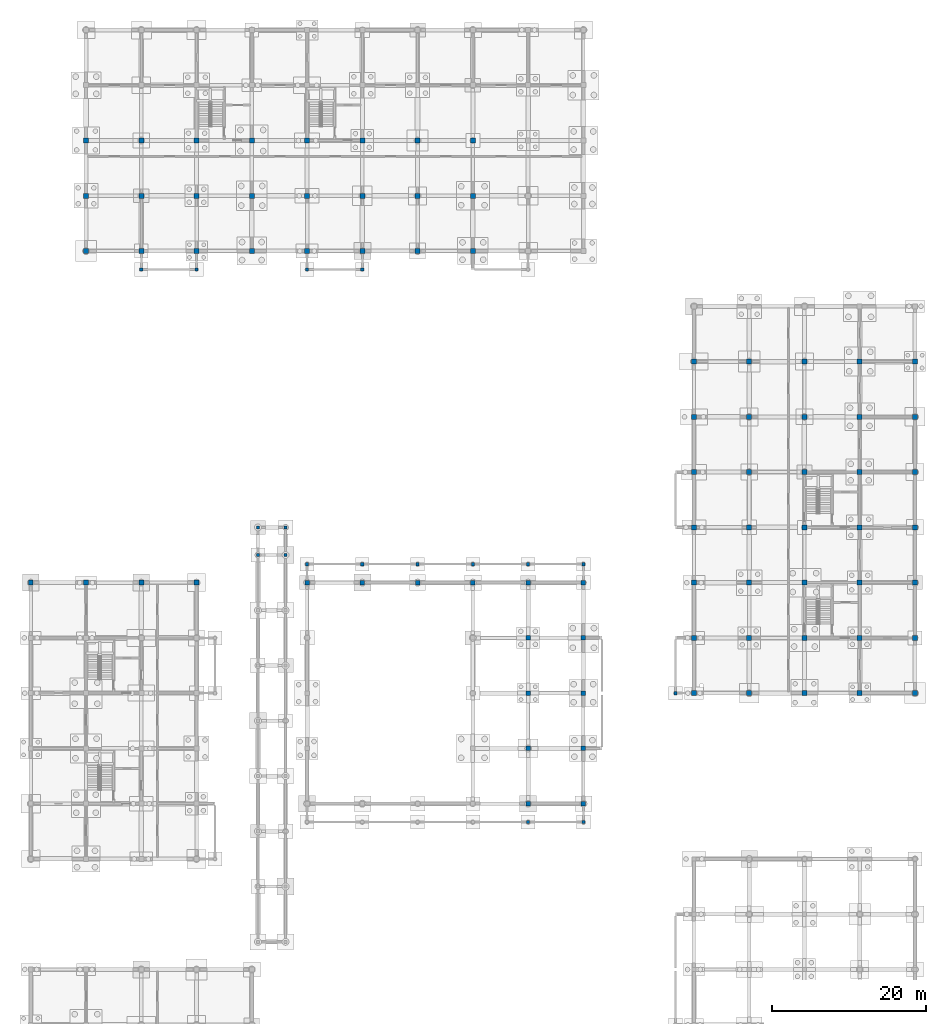
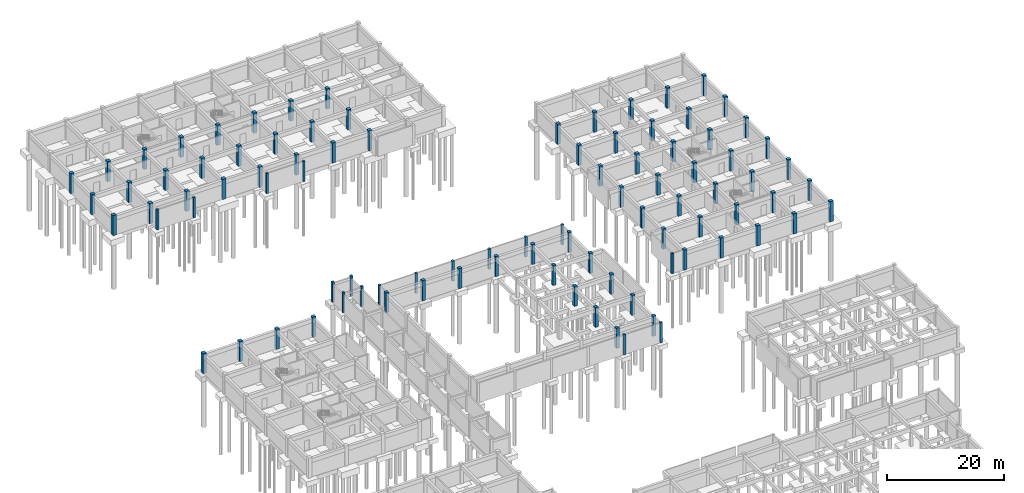
# One storey, part 18 of 38: 94 columns.
"""IFC4 building model written with IfcOpenShell, lengths in metres."""

from ifc_helpers import new_model, si_unit, direction, frame, origin, origin_2d, place, context, subcontext, project, spatial, rectangle, extrude, material, material_profile, profile_set, type_object, element, save


model = new_model("IFC4")

# Units and contexts
model_context = context("Model", 3, precision=1e-05, world=origin(), true_north=direction((0.0, 1.0)))
body_context = subcontext(model_context, "Body", "Model", "MODEL_VIEW")
ifc_project = project(units=[si_unit("LENGTHUNIT", "METRE"), si_unit("AREAUNIT", "SQUARE_METRE"), si_unit("VOLUMEUNIT", "CUBIC_METRE"), si_unit("PLANEANGLEUNIT", "RADIAN"), si_unit("MASSUNIT", "GRAM", prefix="KILO"), si_unit("THERMODYNAMICTEMPERATUREUNIT", "KELVIN"), si_unit("POWERUNIT", "WATT")], contexts=[model_context])

# Site, building, storey
site_placement = place(None, origin())
site = spatial("IfcSite", under=ifc_project, at=site_placement, CompositionType="ELEMENT")
building_placement = place(site_placement, origin())
building = spatial("IfcBuilding", under=site, at=building_placement, Name="Tavuni Mirador Residences", CompositionType="ELEMENT")
storey_placement = place(building_placement, frame((0.0, 0.0, -4.199951171875)))
storey = spatial("IfcBuildingStorey", under=building, at=storey_placement, Name="B1", CompositionType="ELEMENT", Elevation=-4.199951171875)

# Columns
ifc_material_1 = material(Name="Precast concrete C40/50", Category="concrete")
ifc_material_profile_1 = material_profile(ifc_material_1, rectangle(XDim=0.419921875, YDim=0.419921875, at=origin_2d()), Name="CORAL 420x420", Category="concrete")
ifc_profile_set_1 = profile_set([ifc_material_profile_1], Name="Precast concrete C40/50")
column_type_1 = type_object("IfcColumnType", Name="CT-PIL420", PredefinedType="PILASTER", material=ifc_profile_set_1)
for number, where, z_axis, x_axis, name in (
    (1, (33.199951171875, 104.39990234375, 0.0), (0.0, 0.0, 1.0), (1.0, 0.0, 0.0), "COL-PAV-COL-B1-00-07"),
    (2, (33.199951171875, 108.0, 0.0), (0.0, 0.0, 1.0), (1.0, 0.0, 0.0), "COL-PAV-COL-B1-00-08"),
    (3, (36.800048828125, 104.39990234375, 0.0), (0.0, 0.0, 1.0), (1.0, 0.0, 0.0), "COL-PAV-COL-B1-01-07"),
    (4, (36.800048828125, 108.0, 0.0), (0.0, 0.0, 1.0), (1.0, 0.0, 0.0), "COL-PAV-COL-B1-01-08"),
    (5, (18.0, 141.60009765625, 0.0), (0.0, 0.0, 1.0), (1.0, 0.0, 0.0), "COL-APR-BLKC-S1-0"),
    (6, (25.199951171875, 141.60009765625, 0.0), (0.0, 0.0, 1.0), (1.0, 0.0, 0.0), "COL-APR-BLKC-S1-1"),
    (7, (39.60009765625, 141.60009765625, 0.0), (0.0, 0.0, 1.0), (1.0, 0.0, 0.0), "COL-APR-BLKC-S2-0"),
    (8, (46.800048828125, 141.60009765625, 0.0), (0.0, 0.0, 1.0), (1.0, 0.0, 0.0), "COL-APR-BLKC-S2-1"),
    (9, (87.60009765625, 86.39990234375, 0.0), (0.0, 0.0, 1.0), (1.0, 0.0, 0.0), "COL-APR-BLKD-W1-0"),
    (10, (68.39990234375, 69.60009765625, 0.0), (0.0, 0.0, 1.0), (1.0, 0.0, 0.0), "COL-HALL-EAVE-B1-S-04"),
    (11, (75.60009765625, 69.60009765625, 0.0), (0.0, 0.0, 1.0), (1.0, 0.0, 0.0), "COL-HALL-EAVE-B1-S-05"),
    (12, (39.60009765625, 103.199951171875, 0.0), (0.0, 0.0, 1.0), (1.0, 0.0, 0.0), "COL-HALL-EAVE-B1-N-00"),
    (13, (46.800048828125, 103.199951171875, 0.0), (0.0, 0.0, 1.0), (1.0, 0.0, 0.0), "COL-HALL-EAVE-B1-N-01"),
    (14, (54.0, 103.199951171875, 0.0), (0.0, 0.0, 1.0), (1.0, 0.0, 0.0), "COL-HALL-EAVE-B1-N-02"),
    (15, (61.199951171875, 103.199951171875, 0.0), (0.0, 0.0, 1.0), (1.0, 0.0, 0.0), "COL-HALL-EAVE-B1-N-03"),
    (16, (68.39990234375, 103.199951171875, 0.0), (0.0, 0.0, 1.0), (1.0, 0.0, 0.0), "COL-HALL-EAVE-B1-N-04"),
    (17, (75.60009765625, 103.199951171875, 0.0), (0.0, 0.0, 1.0), (1.0, 0.0, 0.0), "COL-HALL-EAVE-B1-N-05"),
):
    element("IfcColumn", number, at=place(storey_placement, frame(where, z_axis=z_axis, x_axis=x_axis)), inside=storey, type_object=column_type_1, Name=name, PredefinedType="PILASTER", context=body_context, shape_type="SweptSolid", body=[
        extrude(rectangle(XDim=0.419921875, YDim=0.419921875, at=origin_2d()), origin(), (0.0, 0.0, 1.0), 4.199951171875),
    ])
ifc_material_profile_2 = material_profile(ifc_material_1, rectangle(XDim=0.60009765625, YDim=0.60009765625, at=origin_2d()), Name="RC 600x600", Category="concrete")
ifc_profile_set_2 = profile_set([ifc_material_profile_2], Name="Precast concrete C40/50")
column_type_2 = type_object("IfcColumnType", Name="CT-RC600", PredefinedType="COLUMN", material=ifc_profile_set_2)
for number, where, z_axis, x_axis, name in (
    (18, (39.60009765625, 100.800048828125, 0.0), (0.0, 0.0, 1.0), (1.0, 0.0, 0.0), "COL-PAV-HALL-B1-00-04"),
    (19, (46.800048828125, 100.800048828125, 0.0), (0.0, 0.0, 1.0), (1.0, 0.0, 0.0), "COL-PAV-HALL-B1-01-04"),
    (20, (54.0, 100.800048828125, 0.0), (0.0, 0.0, 1.0), (1.0, 0.0, 0.0), "COL-PAV-HALL-B1-02-04"),
    (21, (61.199951171875, 100.800048828125, 0.0), (0.0, 0.0, 1.0), (1.0, 0.0, 0.0), "COL-PAV-HALL-B1-03-04"),
    (22, (68.39990234375, 72.0, 0.0), (0.0, 0.0, 1.0), (1.0, 0.0, 0.0), "COL-PAV-HALL-B1-04-00"),
    (23, (68.39990234375, 79.199951171875, 0.0), (0.0, 0.0, 1.0), (1.0, 0.0, 0.0), "COL-PAV-HALL-B1-04-01"),
    (24, (68.39990234375, 86.39990234375, 0.0), (0.0, 0.0, 1.0), (1.0, 0.0, 0.0), "COL-PAV-HALL-B1-04-02"),
    (25, (68.39990234375, 93.60009765625, 0.0), (0.0, 0.0, 1.0), (1.0, 0.0, 0.0), "COL-PAV-HALL-B1-04-03"),
    (26, (68.39990234375, 100.800048828125, 0.0), (0.0, 0.0, 1.0), (1.0, 0.0, 0.0), "COL-PAV-HALL-B1-04-04"),
    (27, (75.60009765625, 72.0, 0.0), (0.0, 0.0, 1.0), (1.0, 0.0, 0.0), "COL-PAV-HALL-B1-05-00"),
    (28, (75.60009765625, 79.199951171875, 0.0), (0.0, 0.0, 1.0), (1.0, 0.0, 0.0), "COL-PAV-HALL-B1-05-01"),
    (29, (75.60009765625, 86.39990234375, 0.0), (0.0, 0.0, 1.0), (1.0, 0.0, 0.0), "COL-PAV-HALL-B1-05-02"),
    (30, (75.60009765625, 93.60009765625, 0.0), (0.0, 0.0, 1.0), (1.0, 0.0, 0.0), "COL-PAV-HALL-B1-05-03"),
    (31, (75.60009765625, 100.800048828125, 0.0), (0.0, 0.0, 1.0), (1.0, 0.0, 0.0), "COL-PAV-HALL-B1-05-04"),
):
    element("IfcColumn", number, at=place(storey_placement, frame(where, z_axis=z_axis, x_axis=x_axis)), inside=storey, type_object=column_type_2, Name=name, PredefinedType="COLUMN", context=body_context, shape_type="SweptSolid", body=[
        extrude(rectangle(XDim=0.60009765625, YDim=0.60009765625, at=origin_2d()), origin(), (0.0, 0.0, 1.0), 4.199951171875),
    ])
ifc_material_2 = material(Name="In-situ concrete C35/45", Category="concrete")
ifc_material_profile_3 = material_profile(ifc_material_2, rectangle(XDim=0.64990234375, YDim=0.64990234375, at=origin_2d()), Name="RC 650x650", Category="concrete")
ifc_profile_set_3 = profile_set([ifc_material_profile_3], Name="In-situ concrete C35/45")
column_type_3 = type_object("IfcColumnType", Name="CT-RC650", PredefinedType="COLUMN", material=ifc_profile_set_3)
for number, where, z_axis, x_axis, name in (
    (32, (3.60009765625, 100.800048828125, 0.0), (0.0, 0.0, 1.0), (1.0, 0.0, 0.0), "COL-BLK-B-B1-00-05"),
    (33, (10.800048828125, 100.800048828125, 0.0), (0.0, 0.0, 1.0), (1.0, 0.0, 0.0), "COL-BLK-B-B1-01-05"),
    (34, (18.0, 100.800048828125, 0.0), (0.0, 0.0, 1.0), (1.0, 0.0, 0.0), "COL-BLK-B-B1-02-05"),
    (35, (25.199951171875, 100.800048828125, 0.0), (0.0, 0.0, 1.0), (1.0, 0.0, 0.0), "COL-BLK-B-B1-03-05"),
    (36, (10.800048828125, 144.0, 0.0), (0.0, 0.0, 1.0), (1.0, 0.0, 0.0), "COL-BLK-C-B1-00-00"),
    (37, (10.800048828125, 151.199951171875, 0.0), (0.0, 0.0, 1.0), (1.0, 0.0, 0.0), "COL-BLK-C-B1-00-01"),
    (38, (10.800048828125, 158.39990234375, 0.0), (0.0, 0.0, 1.0), (1.0, 0.0, 0.0), "COL-BLK-C-B1-00-02"),
    (39, (18.0, 144.0, 0.0), (0.0, 0.0, 1.0), (1.0, 0.0, 0.0), "COL-BLK-C-B1-01-00"),
    (40, (18.0, 151.199951171875, 0.0), (0.0, 0.0, 1.0), (1.0, 0.0, 0.0), "COL-BLK-C-B1-01-01"),
    (41, (18.0, 158.39990234375, 0.0), (0.0, 0.0, 1.0), (1.0, 0.0, 0.0), "COL-BLK-C-B1-01-02"),
    (42, (25.199951171875, 144.0, 0.0), (0.0, 0.0, 1.0), (1.0, 0.0, 0.0), "COL-BLK-C-B1-02-00"),
    (43, (25.199951171875, 151.199951171875, 0.0), (0.0, 0.0, 1.0), (1.0, 0.0, 0.0), "COL-BLK-C-B1-02-01"),
    (44, (25.199951171875, 158.39990234375, 0.0), (0.0, 0.0, 1.0), (1.0, 0.0, 0.0), "COL-BLK-C-B1-02-02"),
    (45, (32.39990234375, 144.0, 0.0), (0.0, 0.0, 1.0), (1.0, 0.0, 0.0), "COL-BLK-C-B1-03-00"),
    (46, (32.39990234375, 151.199951171875, 0.0), (0.0, 0.0, 1.0), (1.0, 0.0, 0.0), "COL-BLK-C-B1-03-01"),
    (47, (32.39990234375, 158.39990234375, 0.0), (0.0, 0.0, 1.0), (1.0, 0.0, 0.0), "COL-BLK-C-B1-03-02"),
    (48, (39.60009765625, 144.0, 0.0), (0.0, 0.0, 1.0), (1.0, 0.0, 0.0), "COL-BLK-C-B1-04-00"),
    (49, (39.60009765625, 151.199951171875, 0.0), (0.0, 0.0, 1.0), (1.0, 0.0, 0.0), "COL-BLK-C-B1-04-01"),
    (50, (39.60009765625, 158.39990234375, 0.0), (0.0, 0.0, 1.0), (1.0, 0.0, 0.0), "COL-BLK-C-B1-04-02"),
    (51, (46.800048828125, 144.0, 0.0), (0.0, 0.0, 1.0), (1.0, 0.0, 0.0), "COL-BLK-C-B1-05-00"),
    (52, (46.800048828125, 151.199951171875, 0.0), (0.0, 0.0, 1.0), (1.0, 0.0, 0.0), "COL-BLK-C-B1-05-01"),
    (53, (46.800048828125, 158.39990234375, 0.0), (0.0, 0.0, 1.0), (1.0, 0.0, 0.0), "COL-BLK-C-B1-05-02"),
    (54, (54.0, 144.0, 0.0), (0.0, 0.0, 1.0), (1.0, 0.0, 0.0), "COL-BLK-C-B1-06-00"),
    (55, (54.0, 151.199951171875, 0.0), (0.0, 0.0, 1.0), (1.0, 0.0, 0.0), "COL-BLK-C-B1-06-01"),
    (56, (54.0, 158.39990234375, 0.0), (0.0, 0.0, 1.0), (1.0, 0.0, 0.0), "COL-BLK-C-B1-06-02"),
    (57, (61.199951171875, 144.0, 0.0), (0.0, 0.0, 1.0), (1.0, 0.0, 0.0), "COL-BLK-C-B1-07-00"),
    (58, (61.199951171875, 151.199951171875, 0.0), (0.0, 0.0, 1.0), (1.0, 0.0, 0.0), "COL-BLK-C-B1-07-01"),
    (59, (61.199951171875, 158.39990234375, 0.0), (0.0, 0.0, 1.0), (1.0, 0.0, 0.0), "COL-BLK-C-B1-07-02"),
    (60, (90.0, 86.39990234375, 0.0), (0.0, 0.0, 1.0), (1.0, 0.0, 0.0), "COL-BLK-D-B1-00-00"),
    (61, (90.0, 93.60009765625, 0.0), (0.0, 0.0, 1.0), (1.0, 0.0, 0.0), "COL-BLK-D-B1-00-01"),
    (62, (90.0, 100.800048828125, 0.0), (0.0, 0.0, 1.0), (1.0, 0.0, 0.0), "COL-BLK-D-B1-00-02"),
    (63, (90.0, 108.0, 0.0), (0.0, 0.0, 1.0), (1.0, 0.0, 0.0), "COL-BLK-D-B1-00-03"),
    (64, (90.0, 115.199951171875, 0.0), (0.0, 0.0, 1.0), (1.0, 0.0, 0.0), "COL-BLK-D-B1-00-04"),
    (65, (90.0, 122.39990234375, 0.0), (0.0, 0.0, 1.0), (1.0, 0.0, 0.0), "COL-BLK-D-B1-00-05"),
    (66, (90.0, 129.60009765625, 0.0), (0.0, 0.0, 1.0), (1.0, 0.0, 0.0), "COL-BLK-D-B1-00-06"),
    (67, (97.199951171875, 86.39990234375, 0.0), (0.0, 0.0, 1.0), (1.0, 0.0, 0.0), "COL-BLK-D-B1-01-00"),
    (68, (97.199951171875, 93.60009765625, 0.0), (0.0, 0.0, 1.0), (1.0, 0.0, 0.0), "COL-BLK-D-B1-01-01"),
    (69, (97.199951171875, 100.800048828125, 0.0), (0.0, 0.0, 1.0), (1.0, 0.0, 0.0), "COL-BLK-D-B1-01-02"),
    (70, (97.199951171875, 108.0, 0.0), (0.0, 0.0, 1.0), (1.0, 0.0, 0.0), "COL-BLK-D-B1-01-03"),
    (71, (97.199951171875, 115.199951171875, 0.0), (0.0, 0.0, 1.0), (1.0, 0.0, 0.0), "COL-BLK-D-B1-01-04"),
    (72, (97.199951171875, 122.39990234375, 0.0), (0.0, 0.0, 1.0), (1.0, 0.0, 0.0), "COL-BLK-D-B1-01-05"),
    (73, (97.199951171875, 129.60009765625, 0.0), (0.0, 0.0, 1.0), (1.0, 0.0, 0.0), "COL-BLK-D-B1-01-06"),
    (74, (104.39990234375, 86.39990234375, 0.0), (0.0, 0.0, 1.0), (1.0, 0.0, 0.0), "COL-BLK-D-B1-02-00"),
    (75, (104.39990234375, 93.60009765625, 0.0), (0.0, 0.0, 1.0), (1.0, 0.0, 0.0), "COL-BLK-D-B1-02-01"),
    (76, (104.39990234375, 100.800048828125, 0.0), (0.0, 0.0, 1.0), (1.0, 0.0, 0.0), "COL-BLK-D-B1-02-02"),
    (77, (104.39990234375, 108.0, 0.0), (0.0, 0.0, 1.0), (1.0, 0.0, 0.0), "COL-BLK-D-B1-02-03"),
    (78, (104.39990234375, 115.199951171875, 0.0), (0.0, 0.0, 1.0), (1.0, 0.0, 0.0), "COL-BLK-D-B1-02-04"),
    (79, (104.39990234375, 122.39990234375, 0.0), (0.0, 0.0, 1.0), (1.0, 0.0, 0.0), "COL-BLK-D-B1-02-05"),
    (80, (104.39990234375, 129.60009765625, 0.0), (0.0, 0.0, 1.0), (1.0, 0.0, 0.0), "COL-BLK-D-B1-02-06"),
    (81, (111.60009765625, 86.39990234375, 0.0), (0.0, 0.0, 1.0), (1.0, 0.0, 0.0), "COL-BLK-D-B1-03-00"),
    (82, (111.60009765625, 93.60009765625, 0.0), (0.0, 0.0, 1.0), (1.0, 0.0, 0.0), "COL-BLK-D-B1-03-01"),
    (83, (111.60009765625, 100.800048828125, 0.0), (0.0, 0.0, 1.0), (1.0, 0.0, 0.0), "COL-BLK-D-B1-03-02"),
    (84, (111.60009765625, 108.0, 0.0), (0.0, 0.0, 1.0), (1.0, 0.0, 0.0), "COL-BLK-D-B1-03-03"),
    (85, (111.60009765625, 115.199951171875, 0.0), (0.0, 0.0, 1.0), (1.0, 0.0, 0.0), "COL-BLK-D-B1-03-04"),
    (86, (111.60009765625, 122.39990234375, 0.0), (0.0, 0.0, 1.0), (1.0, 0.0, 0.0), "COL-BLK-D-B1-03-05"),
    (87, (111.60009765625, 129.60009765625, 0.0), (0.0, 0.0, 1.0), (1.0, 0.0, 0.0), "COL-BLK-D-B1-03-06"),
    (88, (118.800048828125, 86.39990234375, 0.0), (0.0, 0.0, 1.0), (1.0, 0.0, 0.0), "COL-BLK-D-B1-04-00"),
    (89, (118.800048828125, 93.60009765625, 0.0), (0.0, 0.0, 1.0), (1.0, 0.0, 0.0), "COL-BLK-D-B1-04-01"),
    (90, (118.800048828125, 100.800048828125, 0.0), (0.0, 0.0, 1.0), (1.0, 0.0, 0.0), "COL-BLK-D-B1-04-02"),
    (91, (118.800048828125, 108.0, 0.0), (0.0, 0.0, 1.0), (1.0, 0.0, 0.0), "COL-BLK-D-B1-04-03"),
    (92, (118.800048828125, 115.199951171875, 0.0), (0.0, 0.0, 1.0), (1.0, 0.0, 0.0), "COL-BLK-D-B1-04-04"),
    (93, (118.800048828125, 122.39990234375, 0.0), (0.0, 0.0, 1.0), (1.0, 0.0, 0.0), "COL-BLK-D-B1-04-05"),
    (94, (118.800048828125, 129.60009765625, 0.0), (0.0, 0.0, 1.0), (1.0, 0.0, 0.0), "COL-BLK-D-B1-04-06"),
):
    element("IfcColumn", number, at=place(storey_placement, frame(where, z_axis=z_axis, x_axis=x_axis)), inside=storey, type_object=column_type_3, Name=name, PredefinedType="COLUMN", context=body_context, shape_type="SweptSolid", body=[
        extrude(rectangle(XDim=0.64990234375, YDim=0.64990234375, at=origin_2d()), origin(), (0.0, 0.0, 1.0), 4.199951171875),
    ])

save(model, "model.ifc")
